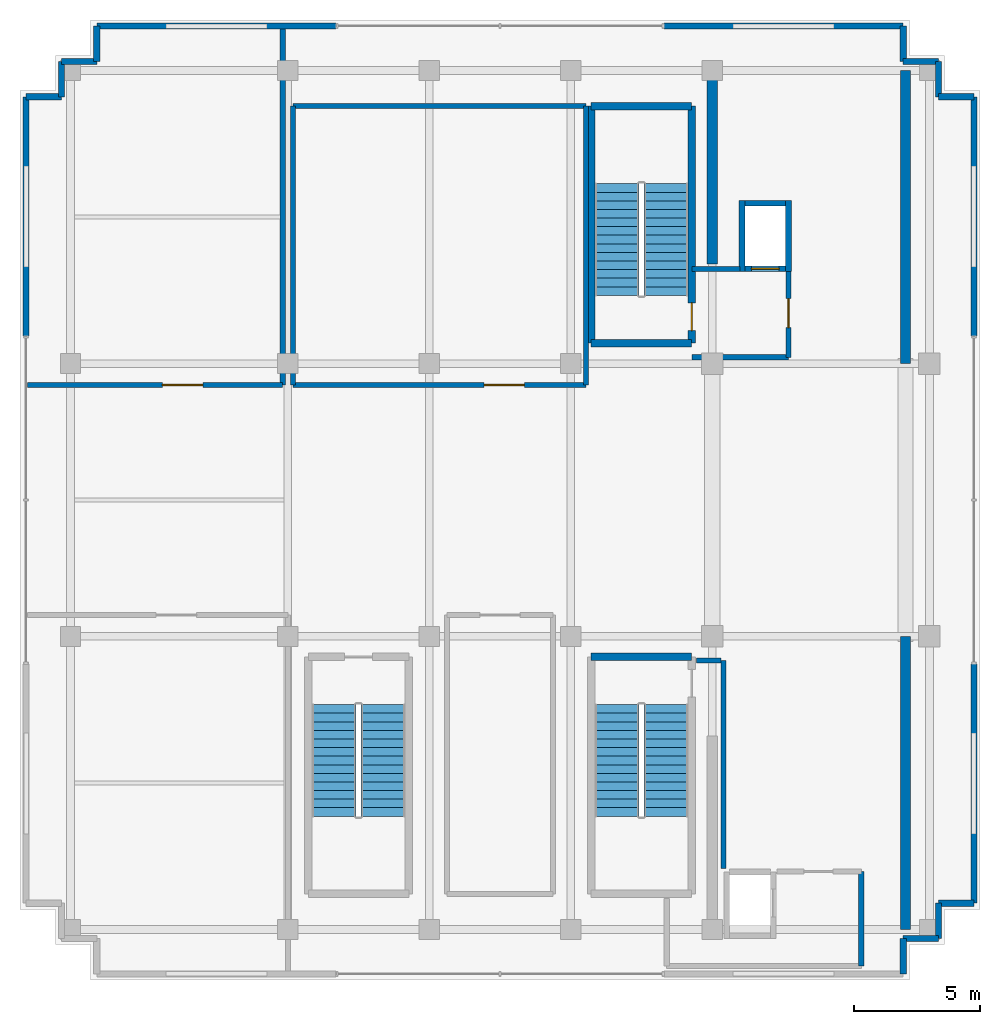
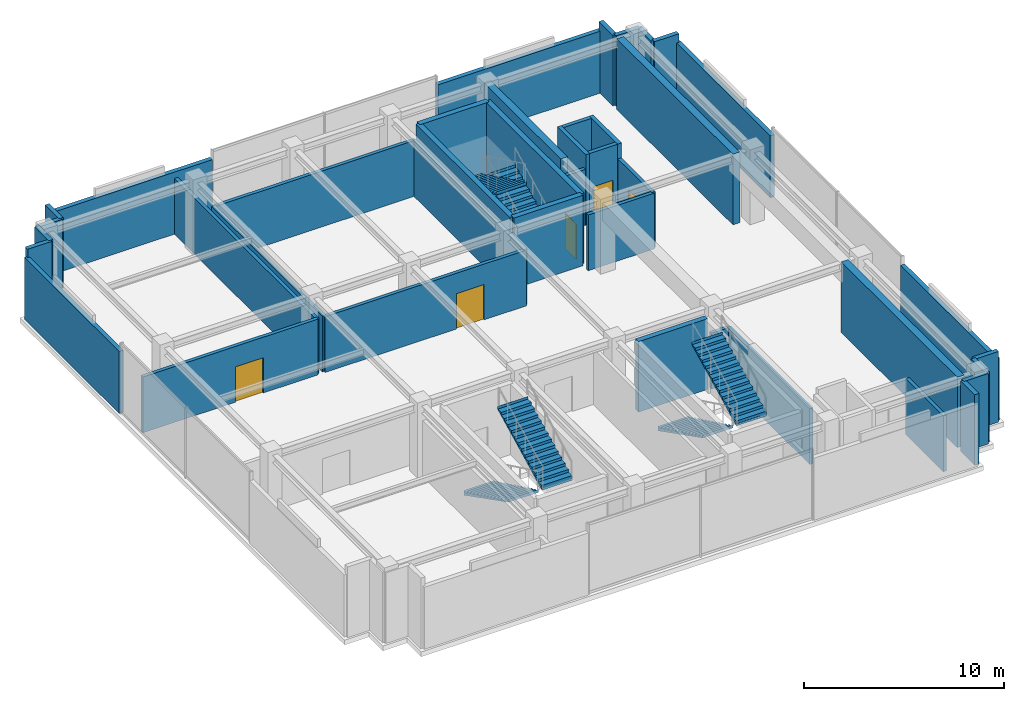
# One storey, part 15 of 18: 41 walls, 6 stair flights, 5 doors, 5 openings, 3 elements without a shape of their own.
"""IFC4 building model written with IfcOpenShell, lengths in metres."""

from ifc_helpers import new_model, si_unit, direction, frame, frame_2d, origin, place, context, subcontext, project, spatial, polyline, rectangle, outline, extrude, source, transform, mapped, material, layer, layer_set, type_object, element, fill, aggregate, save


model = new_model("IFC4")

# Units and contexts
model_context = context("Model", 3, precision=1e-05, world=origin(), true_north=direction((0.0, 1.0)))
body_context = subcontext(model_context, "Body", "Model", "MODEL_VIEW")
ifc_project = project(units=[si_unit("LENGTHUNIT", "METRE"), si_unit("AREAUNIT", "SQUARE_METRE"), si_unit("VOLUMEUNIT", "CUBIC_METRE"), si_unit("PLANEANGLEUNIT", "RADIAN"), si_unit("MASSUNIT", "GRAM", prefix="KILO")], contexts=[model_context])

# Site, building, storey
site_placement = place(None, origin())
site = spatial("IfcSite", under=ifc_project, at=site_placement, CompositionType="ELEMENT")
building_placement = place(site_placement, origin())
building = spatial("IfcBuilding", under=site, at=building_placement, Name="Nahalor Promenade Grand Hotel", CompositionType="ELEMENT")
storey_placement = place(building_placement, frame((0.0, 0.0, 366.25)))
storey = spatial("IfcBuildingStorey", under=building, at=storey_placement, Name="L93", CompositionType="ELEMENT", Elevation=366.25)

# Walls
ifc_material_1 = material(Name="Concrete B-50 (C40/50)", Category="concrete")
ifc_layer_1 = layer(ifc_material_1, 0.39990234375)
ifc_layer_set_1 = layer_set([ifc_layer_1], Name="Concrete B-50 (C40/50)")
wall_type_1 = type_object("IfcWallType", Name="Wall-CoreShear-400", PredefinedType="SHEAR", material=ifc_layer_set_1)
shared_shape_1 = source(origin(), body_context, "Body", "SweptSolid", [
    extrude(rectangle(XDim=7.64990234375, YDim=0.39990234375, at=frame_2d((3.824951171875, 0.0))), origin(), (0.0, 0.0, 1.0), 4.300048828125),
])
wall_1_placement = place(storey_placement, frame((8.39990234375, 9.35009765625, 0.0), z_axis=(0.0, 0.0, 1.0), x_axis=(0.0, 1.0, 0.0)))
element("IfcWall", 1, at=wall_1_placement, inside=storey, type_object=wall_type_1, Name="CWALL-L93-NW", PredefinedType="SHEAR", context=body_context, shape_type="MappedRepresentation", body=[
    mapped(shared_shape_1, transform((0.0, 0.0, 0.0), scale=1.0)),
])
shared_shape_2 = source(origin(), body_context, "Body", "SweptSolid", [
    extrude(rectangle(XDim=11.60009765625, YDim=0.39990234375, at=frame_2d((5.800048828125, 0.0))), origin(), (0.0, 0.0, 1.0), 4.300048828125),
])
for number, where, z_axis, x_axis, name in (
    (2, (16.050048828125, 5.39990234375, 0.0), (0.0, 0.0, 1.0), (0.0, 1.0, 0.0), "CWALL-L93-NE"),
    (3, (16.050048828125, -17.0, 0.0), (0.0, 0.0, 1.0), (0.0, 1.0, 0.0), "CWALL-L93-SE"),
):
    element("IfcWall", number, at=place(storey_placement, frame(where, z_axis=z_axis, x_axis=x_axis)), inside=storey, type_object=wall_type_1, Name=name, PredefinedType="SHEAR", context=body_context, shape_type="MappedRepresentation", body=[
        mapped(shared_shape_2, transform((0.0, 0.0, 0.0), scale=1.0)),
    ])
ifc_layer_2 = layer(ifc_material_1, 0.300048828125)
ifc_layer_set_2 = layer_set([ifc_layer_2], Name="Concrete B-50 (C40/50)")
wall_type_2 = type_object("IfcWallType", Name="Wall-ShaftShear-300", PredefinedType="SHEAR", material=ifc_layer_set_2)
shared_shape_3 = source(origin(), body_context, "Body", "SweptSolid", [
    extrude(rectangle(XDim=3.97998046875, YDim=0.300048828125, at=frame_2d((1.989990234375, 0.0))), origin(), (0.0, 0.0, 1.0), 4.300048828125),
])
for number, where, z_axis, x_axis, name in (
    (4, (3.610107421875, 6.2099609375, 0.0), (0.0, 0.0, 1.0), (1.0, 0.0, 0.0), "L93 Exit Stair ST1 Shaft Wall S"),
    (5, (3.610107421875, 15.590087890625, 0.0), (0.0, 0.0, 1.0), (1.0, 0.0, 0.0), "L93 Exit Stair ST1 Shaft Wall N"),
    (6, (3.610107421875, -6.2099609375, 0.0), (0.0, 0.0, 1.0), (1.0, 0.0, 0.0), "L93 Exit Stair ST2 Shaft Wall N"),
):
    element("IfcWall", number, at=place(storey_placement, frame(where, z_axis=z_axis, x_axis=x_axis)), inside=storey, type_object=wall_type_2, Name=name, PredefinedType="SHEAR", context=body_context, shape_type="MappedRepresentation", body=[
        mapped(shared_shape_3, transform((0.0, 0.0, 0.0), scale=1.0)),
    ])
shared_shape_4 = source(origin(), body_context, "Body", "SweptSolid", [
    extrude(rectangle(XDim=9.380126953125, YDim=0.300048828125, at=frame_2d((4.68994140625, 0.0))), origin(), (0.0, 0.0, 1.0), 4.300048828125),
])
wall_2_placement = place(storey_placement, frame((3.610107421875, 6.2099609375, 0.0), z_axis=(0.0, 0.0, 1.0), x_axis=(0.0, 1.0, 0.0)))
element("IfcWall", 7, at=wall_2_placement, inside=storey, type_object=wall_type_2, Name="L93 Exit Stair ST1 Shaft Wall W", PredefinedType="SHEAR", context=body_context, shape_type="MappedRepresentation", body=[
    mapped(shared_shape_4, transform((0.0, 0.0, 0.0), scale=1.0)),
])

# Wall, opening, door
wall_3_placement = place(storey_placement, frame((7.590087890625, 6.2099609375, 0.0), z_axis=(0.0, 0.0, 1.0), x_axis=(0.0, 1.0, 0.0)))
wall_3 = element("IfcWall", 8, at=wall_3_placement, inside=storey, type_object=wall_type_2, Name="L93 Exit Stair ST1 Shaft Wall E", PredefinedType="SHEAR", context=body_context, shape_type="MappedRepresentation", body=[
    mapped(shared_shape_4, transform((0.0, 0.0, 0.0), scale=1.0)),
])
opening_1_placement = place(wall_3_placement, frame((0.489990234375, 0.0, 0.0)))
opening_1 = element("IfcOpeningElement", 9, at=opening_1_placement, cuts=wall_3, Name="Opening D-ST1", PredefinedType="OPENING", context=body_context, shape_type="SweptSolid", body=[
    extrude(rectangle(XDim=1.10009765625, YDim=2.14990234375, at=frame_2d((0.550048828125, 1.074951171875))), frame((0.0, 0.159912109375, 0.0), z_axis=(0.0, -1.0, 0.0), x_axis=(1.0, 0.0, 0.0)), (0.0, 0.0, 1.0), 0.320068359375),
])
ifc_material_2 = material(Name="Steel S355JR", Category="steel")
door_type_1 = type_object("IfcDoorType", Name="Door-StairFire-1100", OperationType="NOTDEFINED", PredefinedType="DOOR", material=ifc_material_2)
shared_shape_5 = source(origin(), body_context, "Body", "SweptSolid", [
    extrude(rectangle(XDim=1.10009765625, YDim=2.14990234375, at=frame_2d((0.550048828125, 1.074951171875))), frame((0.0, 0.02490234375, 0.0), z_axis=(0.0, -1.0, 0.0), x_axis=(1.0, 0.0, 0.0)), (0.0, 0.0, 1.0), 0.050048828125),
])
door_1_placement = place(opening_1_placement, origin())
door_1 = element("IfcDoor", 10, at=door_1_placement, inside=storey, type_object=door_type_1, Name="DR-STAIR-ST1-L93", OperationType="SINGLE_SWING_RIGHT", OverallHeight=2.14990234375, OverallWidth=1.10009765625, PredefinedType="DOOR", context=body_context, shape_type="MappedRepresentation", body=[
    mapped(shared_shape_5, transform((0.0, 0.0, 0.0), scale=1.0)),
])
fill(opening_1, door_1)

# Walls
ifc_layer_3 = layer(ifc_material_1, 0.219970703125)
ifc_layer_set_3 = layer_set([ifc_layer_3], Name="Concrete B-50 (C40/50)")
wall_type_3 = type_object("IfcWallType", Name="Wall-LiftShaft-220", PredefinedType="SHEAR", material=ifc_layer_set_3)
shared_shape_6 = source(origin(), body_context, "Body", "SweptSolid", [
    extrude(rectangle(XDim=2.820068359375, YDim=0.219970703125, at=frame_2d((1.41015625, 0.0))), origin(), (0.0, 0.0, 1.0), 4.300048828125),
])
for number, where, z_axis, x_axis, name in (
    (11, (9.580078125, 9.0400390625, 0.0), (0.0, 0.0, 1.0), (0.0, 1.0, 0.0), "L93 Lift FL1 Hoistway Wall W"),
    (12, (11.419921875, 9.0400390625, 0.0), (0.0, 0.0, 1.0), (0.0, 1.0, 0.0), "L93 Lift FL1 Hoistway Wall E"),
):
    element("IfcWall", number, at=place(storey_placement, frame(where, z_axis=z_axis, x_axis=x_axis)), inside=storey, type_object=wall_type_3, Name=name, PredefinedType="SHEAR", context=body_context, shape_type="MappedRepresentation", body=[
        mapped(shared_shape_6, transform((0.0, 0.0, 0.0), scale=1.0)),
    ])

# Wall, opening, door
shared_shape_7 = source(origin(), body_context, "Body", "SweptSolid", [
    extrude(rectangle(XDim=1.6201171875, YDim=0.219970703125, at=frame_2d((0.81005859375, 0.0))), origin(), (0.0, 0.0, 1.0), 4.300048828125),
])
wall_4_placement = place(storey_placement, frame((9.68994140625, 9.14990234375, 0.0), z_axis=(0.0, 0.0, 1.0), x_axis=(1.0, 0.0, 0.0)))
wall_4 = element("IfcWall", 13, at=wall_4_placement, inside=storey, type_object=wall_type_3, Name="L93 Lift FL1 Hoistway Wall S", PredefinedType="SHEAR", context=body_context, shape_type="MappedRepresentation", body=[
    mapped(shared_shape_7, transform((0.0, 0.0, 0.0), scale=1.0)),
])
opening_2_placement = place(wall_4_placement, frame((0.260009765625, 0.0, 0.0)))
opening_2 = element("IfcOpeningElement", 14, at=opening_2_placement, cuts=wall_4, Name="Opening LD-02", PredefinedType="OPENING", context=body_context, shape_type="SweptSolid", body=[
    extrude(rectangle(XDim=1.10009765625, YDim=2.199951171875, at=frame_2d((0.550048828125, 1.10009765625))), frame((0.0, 0.119873046875, 0.0), z_axis=(0.0, -1.0, 0.0), x_axis=(1.0, 0.0, 0.0)), (0.0, 0.0, 1.0), 0.239990234375),
])
door_type_2 = type_object("IfcDoorType", Name="Door-LiftFF-1100", OperationType="DOUBLE_DOOR_SLIDING", PredefinedType="DOOR", material=ifc_material_2)
shared_shape_8 = source(origin(), body_context, "Body", "SweptSolid", [
    extrude(rectangle(XDim=1.10009765625, YDim=2.199951171875, at=frame_2d((0.550048828125, 1.10009765625))), frame((0.0, 0.02490234375, 0.0), z_axis=(0.0, -1.0, 0.0), x_axis=(1.0, 0.0, 0.0)), (0.0, 0.0, 1.0), 0.050048828125),
])
door_2_placement = place(opening_2_placement, frame((1.10009765625, 0.0, 0.0), z_axis=(0.0, 0.0, 1.0), x_axis=(-1.0, 0.0, 0.0)))
door_2 = element("IfcDoor", 15, at=door_2_placement, inside=storey, type_object=door_type_2, Name="DR-LIFT-FL1-L93", OperationType="DOUBLE_DOOR_SLIDING", OverallHeight=2.199951171875, OverallWidth=1.10009765625, PredefinedType="DOOR", context=body_context, shape_type="MappedRepresentation", body=[
    mapped(shared_shape_8, transform((0.0, 0.0, 0.0), scale=1.0)),
])
fill(opening_2, door_2)

# Walls
wall_5_placement = place(storey_placement, frame((9.68994140625, 11.75, 0.0), z_axis=(0.0, 0.0, 1.0), x_axis=(1.0, 0.0, 0.0)))
element("IfcWall", 16, at=wall_5_placement, inside=storey, type_object=wall_type_3, Name="L93 Lift FL1 Hoistway Wall N", PredefinedType="SHEAR", context=body_context, shape_type="MappedRepresentation", body=[
    mapped(shared_shape_7, transform((0.0, 0.0, 0.0), scale=1.0)),
])
ifc_material_3 = material(Name="Concrete B-40 (C32/40)", Category="concrete")
ifc_layer_4 = layer(ifc_material_3, 0.25)
ifc_layer_set_4 = layer_set([ifc_layer_4], Name="Concrete B-40 (C32/40)")
wall_type_4 = type_object("IfcWallType", Name="Wall-BronzePier-250", PredefinedType="STANDARD", material=ifc_layer_set_4)
shared_shape_9 = source(origin(), body_context, "Body", "SweptSolid", [
    extrude(rectangle(XDim=1.39990234375, YDim=0.25, at=frame_2d((0.699951171875, 0.0))), origin(), (0.0, 0.0, 1.0), 4.300048828125),
])
for number, where, z_axis, x_axis, name in (
    (17, (15.9599609375, -18.760009765625, 0.0), (0.0, 0.0, 1.0), (0.0, 1.0, 0.0), "W-L93-SR-01"),
    (18, (17.360107421875, -15.9599609375, 0.0), (0.0, 0.0, 1.0), (1.0, 0.0, 0.0), "W-L93-SR-04"),
    (19, (17.360107421875, 15.9599609375, 0.0), (0.0, 0.0, 1.0), (1.0, 0.0, 0.0), "W-L93-SR-05"),
    (20, (15.9599609375, 17.360107421875, 0.0), (0.0, 0.0, 1.0), (0.0, 1.0, 0.0), "W-L93-SR-08"),
    (21, (-15.9599609375, 17.360107421875, 0.0), (0.0, 0.0, 1.0), (0.0, 1.0, 0.0), "W-L93-SR-09"),
    (22, (-18.760009765625, 15.9599609375, 0.0), (0.0, 0.0, 1.0), (1.0, 0.0, 0.0), "W-L93-SR-12"),
):
    element("IfcWall", number, at=place(storey_placement, frame(where, z_axis=z_axis, x_axis=x_axis)), inside=storey, type_object=wall_type_4, Name=name, PredefinedType="STANDARD", context=body_context, shape_type="MappedRepresentation", body=[
        mapped(shared_shape_9, transform((0.0, 0.0, 0.0), scale=1.0)),
    ])
shared_shape_10 = source(origin(), body_context, "Body", "SweptSolid", [
    extrude(rectangle(XDim=1.400146484375, YDim=0.25, at=frame_2d((0.7001953125, 0.0))), origin(), (0.0, 0.0, 1.0), 4.300048828125),
])
for number, where, z_axis, x_axis, name in (
    (23, (15.9599609375, -17.360107421875, 0.0), (0.0, 0.0, 1.0), (1.0, 0.0, 0.0), "W-L93-SR-02"),
    (24, (17.360107421875, -17.360107421875, 0.0), (0.0, 0.0, 1.0), (0.0, 1.0, 0.0), "W-L93-SR-03"),
    (25, (17.360107421875, 15.9599609375, 0.0), (0.0, 0.0, 1.0), (0.0, 1.0, 0.0), "W-L93-SR-06"),
    (26, (15.9599609375, 17.360107421875, 0.0), (0.0, 0.0, 1.0), (1.0, 0.0, 0.0), "W-L93-SR-07"),
    (27, (-17.360107421875, 17.360107421875, 0.0), (0.0, 0.0, 1.0), (1.0, 0.0, 0.0), "W-L93-SR-10"),
    (28, (-17.360107421875, 15.9599609375, 0.0), (0.0, 0.0, 1.0), (0.0, 1.0, 0.0), "W-L93-SR-11"),
):
    element("IfcWall", number, at=place(storey_placement, frame(where, z_axis=z_axis, x_axis=x_axis)), inside=storey, type_object=wall_type_4, Name=name, PredefinedType="STANDARD", context=body_context, shape_type="MappedRepresentation", body=[
        mapped(shared_shape_10, transform((0.0, 0.0, 0.0), scale=1.0)),
    ])
shared_shape_11 = source(origin(), body_context, "Body", "SweptSolid", [
    extrude(rectangle(XDim=9.4599609375, YDim=0.25, at=frame_2d((4.72998046875, 0.0))), origin(), (0.0, 0.0, 1.0), 3.780029296875),
])
for number, where, z_axis, x_axis, name in (
    (29, (-15.9599609375, 18.760009765625, 0.0), (0.0, 0.0, 1.0), (1.0, 0.0, 0.0), "W-L93-PL-NL"),
    (30, (6.5, 18.760009765625, 0.0), (0.0, 0.0, 1.0), (1.0, 0.0, 0.0), "W-L93-PL-NR"),
    (31, (-18.760009765625, 6.5, 0.0), (0.0, 0.0, 1.0), (0.0, 1.0, 0.0), "W-L93-PL-WR"),
    (32, (18.760009765625, -15.9599609375, 0.0), (0.0, 0.0, 1.0), (0.0, 1.0, 0.0), "W-L93-PL-EL"),
    (33, (18.760009765625, 6.5, 0.0), (0.0, 0.0, 1.0), (0.0, 1.0, 0.0), "W-L93-PL-ER"),
):
    element("IfcWall", number, at=place(storey_placement, frame(where, z_axis=z_axis, x_axis=x_axis)), inside=storey, type_object=wall_type_4, Name=name, PredefinedType="STANDARD", context=body_context, shape_type="MappedRepresentation", body=[
        mapped(shared_shape_11, transform((0.0, 0.0, 0.0), scale=1.0)),
    ])
ifc_layer_5 = layer(ifc_material_3, 0.199951171875)
ifc_layer_set_5 = layer_set([ifc_layer_5], Name="Concrete B-40 (C32/40)")
wall_type_5 = type_object("IfcWallType", Name="Wall-PartFire-200", PredefinedType="PARTITIONING", material=ifc_layer_set_5)
shared_shape_12 = source(origin(), body_context, "Body", "SweptSolid", [
    extrude(rectangle(XDim=3.81982421875, YDim=0.199951171875, at=frame_2d((1.909912109375, 0.0))), origin(), (0.0, 0.0, 1.0), 3.39990234375),
])
wall_6_placement = place(storey_placement, frame((7.60009765625, 5.64990234375, 0.0), z_axis=(0.0, 0.0, 1.0), x_axis=(1.0, 0.0, 0.0)))
element("IfcWall", 34, at=wall_6_placement, inside=storey, type_object=wall_type_5, Name="W-L93-FF1-S", PredefinedType="PARTITIONING", context=body_context, shape_type="MappedRepresentation", body=[
    mapped(shared_shape_12, transform((0.0, 0.0, 0.0), scale=1.0)),
])
shared_shape_13 = source(origin(), body_context, "Body", "SweptSolid", [
    extrude(rectangle(XDim=1.89990234375, YDim=0.199951171875, at=frame_2d((0.949951171875, 0.0))), origin(), (0.0, 0.0, 1.0), 3.39990234375),
])
wall_7_placement = place(storey_placement, frame((7.60009765625, 9.14990234375, 0.0), z_axis=(0.0, 0.0, 1.0), x_axis=(1.0, 0.0, 0.0)))
element("IfcWall", 35, at=wall_7_placement, inside=storey, type_object=wall_type_5, Name="W-L93-FF1-N", PredefinedType="PARTITIONING", context=body_context, shape_type="MappedRepresentation", body=[
    mapped(shared_shape_13, transform((0.0, 0.0, 0.0), scale=1.0)),
])

# Wall, opening, door
shared_shape_14 = source(origin(), body_context, "Body", "SweptSolid", [
    extrude(rectangle(XDim=3.5, YDim=0.199951171875, at=frame_2d((1.75, 0.0))), origin(), (0.0, 0.0, 1.0), 3.39990234375),
])
wall_8_placement = place(storey_placement, frame((11.419921875, 5.64990234375, 0.0), z_axis=(0.0, 0.0, 1.0), x_axis=(0.0, 1.0, 0.0)))
wall_8 = element("IfcWall", 36, at=wall_8_placement, inside=storey, type_object=wall_type_5, Name="W-L93-FF1-E", PredefinedType="PARTITIONING", context=body_context, shape_type="MappedRepresentation", body=[
    mapped(shared_shape_14, transform((0.0, 0.0, 0.0), scale=1.0)),
])
opening_3_placement = place(wall_8_placement, frame((1.175048828125, 0.0, 0.0)))
opening_3 = element("IfcOpeningElement", 37, at=opening_3_placement, cuts=wall_8, Name="Opening D-FF1", PredefinedType="OPENING", context=body_context, shape_type="SweptSolid", body=[
    extrude(rectangle(XDim=1.14990234375, YDim=2.14990234375, at=frame_2d((0.574951171875, 1.074951171875))), frame((0.0, 0.10986328125, 0.0), z_axis=(0.0, -1.0, 0.0), x_axis=(1.0, 0.0, 0.0)), (0.0, 0.0, 1.0), 0.219970703125),
])
door_type_3 = type_object("IfcDoorType", Name="Door-FFLobby-1150", OperationType="NOTDEFINED", PredefinedType="DOOR", material=ifc_material_2)
shared_shape_15 = source(origin(), body_context, "Body", "SweptSolid", [
    extrude(rectangle(XDim=1.14990234375, YDim=2.14990234375, at=frame_2d((0.574951171875, 1.074951171875))), frame((0.0, 0.02490234375, 0.0), z_axis=(0.0, -1.0, 0.0), x_axis=(1.0, 0.0, 0.0)), (0.0, 0.0, 1.0), 0.050048828125),
])
door_3_placement = place(opening_3_placement, frame((1.14990234375, 0.0, 0.0), z_axis=(0.0, 0.0, 1.0), x_axis=(-1.0, 0.0, 0.0)))
door_3 = element("IfcDoor", 38, at=door_3_placement, inside=storey, type_object=door_type_3, Name="DR-L93-FFL1", OperationType="SINGLE_SWING_LEFT", OverallHeight=2.14990234375, OverallWidth=1.14990234375, PredefinedType="DOOR", context=body_context, shape_type="MappedRepresentation", body=[
    mapped(shared_shape_15, transform((0.0, 0.0, 0.0), scale=1.0)),
])
fill(opening_3, door_3)

# Walls
shared_shape_16 = source(origin(), body_context, "Body", "SweptSolid", [
    extrude(rectangle(XDim=0.969970703125, YDim=0.199951171875, at=frame_2d((0.48486328125, 0.0))), origin(), (0.0, 0.0, 1.0), 3.39990234375),
])
wall_9_placement = place(storey_placement, frame((7.77001953125, -6.35009765625, 0.0), z_axis=(0.0, 0.0, 1.0), x_axis=(1.0, 0.0, 0.0)))
element("IfcWall", 39, at=wall_9_placement, inside=storey, type_object=wall_type_5, Name="W-L93-FF2-N2", PredefinedType="PARTITIONING", context=body_context, shape_type="MappedRepresentation", body=[
    mapped(shared_shape_16, transform((0.0, 0.0, 0.0), scale=1.0)),
])
shared_shape_17 = source(origin(), body_context, "Body", "SweptSolid", [
    extrude(rectangle(XDim=8.22998046875, YDim=0.199951171875, at=frame_2d((4.114990234375, 0.0))), origin(), (0.0, 0.0, 1.0), 3.39990234375),
])
wall_10_placement = place(storey_placement, frame((8.840087890625, -14.580078125, 0.0), z_axis=(0.0, 0.0, 1.0), x_axis=(0.0, 1.0, 0.0)))
element("IfcWall", 40, at=wall_10_placement, inside=storey, type_object=wall_type_5, Name="W-L93-FF2-M", PredefinedType="PARTITIONING", context=body_context, shape_type="MappedRepresentation", body=[
    mapped(shared_shape_17, transform((0.0, 0.0, 0.0), scale=1.0)),
])
shared_shape_18 = source(origin(), body_context, "Body", "SweptSolid", [
    extrude(rectangle(XDim=14.14990234375, YDim=0.199951171875, at=frame_2d((7.074951171875, 0.0))), origin(), (0.0, 0.0, 1.0), 3.39990234375),
])
wall_11_placement = place(storey_placement, frame((-8.60009765625, 4.550048828125, 0.0), z_axis=(0.0, 0.0, 1.0), x_axis=(0.0, 1.0, 0.0)))
element("IfcWall", 41, at=wall_11_placement, inside=storey, type_object=wall_type_5, Name="W-L93-MP1-E", PredefinedType="PARTITIONING", context=body_context, shape_type="MappedRepresentation", body=[
    mapped(shared_shape_18, transform((0.0, 0.0, 0.0), scale=1.0)),
])
shared_shape_19 = source(origin(), body_context, "Body", "SweptSolid", [
    extrude(rectangle(XDim=3.75, YDim=0.199951171875, at=frame_2d((1.875, 0.0))), origin(), (0.0, 0.0, 1.0), 3.39990234375),
])
wall_12_placement = place(storey_placement, frame((14.300048828125, -18.449951171875, 0.0), z_axis=(0.0, 0.0, 1.0), x_axis=(0.0, 1.0, 0.0)))
element("IfcWall", 42, at=wall_12_placement, inside=storey, type_object=wall_type_5, Name="W-L93-FF2-E", PredefinedType="PARTITIONING", context=body_context, shape_type="MappedRepresentation", body=[
    mapped(shared_shape_19, transform((0.0, 0.0, 0.0), scale=1.0)),
])

# Wall, opening, door
shared_shape_20 = source(origin(), body_context, "Body", "SweptSolid", [
    extrude(rectangle(XDim=10.099853515625, YDim=0.199951171875, at=frame_2d((5.0498046875, 0.0))), origin(), (0.0, 0.0, 1.0), 3.39990234375),
])
wall_13_placement = place(storey_placement, frame((-18.699951171875, 4.550048828125, 0.0), z_axis=(0.0, 0.0, 1.0), x_axis=(1.0, 0.0, 0.0)))
wall_13 = element("IfcWall", 43, at=wall_13_placement, inside=storey, type_object=wall_type_5, Name="W-L93-MP1-S", PredefinedType="PARTITIONING", context=body_context, shape_type="MappedRepresentation", body=[
    mapped(shared_shape_20, transform((0.0, 0.0, 0.0), scale=1.0)),
])
opening_4_placement = place(wall_13_placement, frame((5.337890625, 0.0, 0.0)))
opening_4 = element("IfcOpeningElement", 44, at=opening_4_placement, cuts=wall_13, Name="Opening D-06", PredefinedType="OPENING", context=body_context, shape_type="SweptSolid", body=[
    extrude(rectangle(XDim=1.60009765625, YDim=2.14990234375, at=frame_2d((0.800048828125, 1.074951171875))), frame((0.0, 0.10986328125, 0.0), z_axis=(0.0, -1.0, 0.0), x_axis=(1.0, 0.0, 0.0)), (0.0, 0.0, 1.0), 0.219970703125),
])
door_type_4 = type_object("IfcDoorType", Name="Door-PlantDouble-1600", OperationType="DOUBLE_DOOR_SINGLE_SWING", PredefinedType="DOOR", material=ifc_material_2)
shared_shape_21 = source(origin(), body_context, "Body", "SweptSolid", [
    extrude(rectangle(XDim=1.60009765625, YDim=2.14990234375, at=frame_2d((0.800048828125, 1.074951171875))), frame((0.0, 0.02490234375, 0.0), z_axis=(0.0, -1.0, 0.0), x_axis=(1.0, 0.0, 0.0)), (0.0, 0.0, 1.0), 0.050048828125),
])
door_4_placement = place(opening_4_placement, origin())
door_4 = element("IfcDoor", 45, at=door_4_placement, inside=storey, type_object=door_type_4, Name="DR-L93-MP1", OperationType="DOUBLE_DOOR_SINGLE_SWING", OverallHeight=2.14990234375, OverallWidth=1.60009765625, PredefinedType="DOOR", context=body_context, shape_type="MappedRepresentation", body=[
    mapped(shared_shape_21, transform((0.0, 0.0, 0.0), scale=1.0)),
])
fill(opening_4, door_4)

shared_shape_22 = source(origin(), body_context, "Body", "SweptSolid", [
    extrude(rectangle(XDim=11.599853515625, YDim=0.199951171875, at=frame_2d((5.7998046875, 0.0))), origin(), (0.0, 0.0, 1.0), 3.39990234375),
])
wall_14_placement = place(storey_placement, frame((-8.199951171875, 4.550048828125, 0.0), z_axis=(0.0, 0.0, 1.0), x_axis=(1.0, 0.0, 0.0)))
wall_14 = element("IfcWall", 46, at=wall_14_placement, inside=storey, type_object=wall_type_5, Name="W-L93-MP2-S", PredefinedType="PARTITIONING", context=body_context, shape_type="MappedRepresentation", body=[
    mapped(shared_shape_22, transform((0.0, 0.0, 0.0), scale=1.0)),
])
opening_5_placement = place(wall_14_placement, frame((7.56689453125, 0.0, 0.0)))
opening_5 = element("IfcOpeningElement", 47, at=opening_5_placement, cuts=wall_14, Name="Opening D-06", PredefinedType="OPENING", context=body_context, shape_type="SweptSolid", body=[
    extrude(rectangle(XDim=1.60009765625, YDim=2.14990234375, at=frame_2d((0.800048828125, 1.074951171875))), frame((0.0, 0.10986328125, 0.0), z_axis=(0.0, -1.0, 0.0), x_axis=(1.0, 0.0, 0.0)), (0.0, 0.0, 1.0), 0.219970703125),
])
door_5_placement = place(opening_5_placement, origin())
door_5 = element("IfcDoor", 48, at=door_5_placement, inside=storey, type_object=door_type_4, Name="DR-L93-MP2", OperationType="DOUBLE_DOOR_SINGLE_SWING", OverallHeight=2.14990234375, OverallWidth=1.60009765625, PredefinedType="DOOR", context=body_context, shape_type="MappedRepresentation", body=[
    mapped(shared_shape_21, transform((0.0, 0.0, 0.0), scale=1.0)),
])
fill(opening_5, door_5)

# Walls
wall_15_placement = place(storey_placement, frame((-8.199951171875, 15.60009765625, 0.0), z_axis=(0.0, 0.0, 1.0), x_axis=(1.0, 0.0, 0.0)))
element("IfcWall", 49, at=wall_15_placement, inside=storey, type_object=wall_type_5, Name="W-L93-MP2-N", PredefinedType="PARTITIONING", context=body_context, shape_type="MappedRepresentation", body=[
    mapped(shared_shape_22, transform((0.0, 0.0, 0.0), scale=1.0)),
])
shared_shape_23 = source(origin(), body_context, "Body", "SweptSolid", [
    extrude(rectangle(XDim=11.050048828125, YDim=0.199951171875, at=frame_2d((5.52490234375, 0.0))), origin(), (0.0, 0.0, 1.0), 3.39990234375),
])
for number, where, z_axis, x_axis, name in (
    (50, (-8.199951171875, 4.550048828125, 0.0), (0.0, 0.0, 1.0), (0.0, 1.0, 0.0), "W-L93-MP2-W"),
    (51, (3.39990234375, 4.550048828125, 0.0), (0.0, 0.0, 1.0), (0.0, 1.0, 0.0), "W-L93-MP2-E"),
):
    element("IfcWall", number, at=place(storey_placement, frame(where, z_axis=z_axis, x_axis=x_axis)), inside=storey, type_object=wall_type_5, Name=name, PredefinedType="PARTITIONING", context=body_context, shape_type="MappedRepresentation", body=[
        mapped(shared_shape_23, transform((0.0, 0.0, 0.0), scale=1.0)),
    ])

# Stair, stair flights
stair_type_1 = type_object("IfcStairType", Name="Stair-ST1", PredefinedType="HALF_TURN_STAIR", material=ifc_material_1)
stair_1_placement = place(storey_placement, origin())
stair_1 = element("IfcStair", 52, at=stair_1_placement, inside=storey, type_object=stair_type_1, Name="L93 ST1", PredefinedType="HALF_TURN_STAIR")
ifc_layer_6 = layer(ifc_material_1, 0.179931640625)
ifc_layer_set_6 = layer_set([ifc_layer_6], Name="Concrete B-50 (C40/50)")
stair_flight_type_1 = type_object("IfcStairFlightType", Name="Flight-ST1", PredefinedType="STRAIGHT", material=ifc_layer_set_6)
shared_shape_24 = source(origin(), body_context, "Body", "SweptSolid", [
    extrude(outline(polyline([(-0.00390625, -0.1201171875), (-0.00390625, 0.0), (0.0, 0.0), (0.0, 0.164306640625), (0.340087890625, 0.164306640625), (0.340087890625, 0.32861328125), (0.679931640625, 0.32861328125), (0.679931640625, 0.492919921875), (1.02001953125, 0.492919921875), (1.02001953125, 0.6572265625), (1.360107421875, 0.6572265625), (1.360107421875, 0.821533203125), (1.699951171875, 0.821533203125), (1.699951171875, 0.985595703125), (2.0400390625, 0.985595703125), (2.0400390625, 1.14990234375), (2.3798828125, 1.14990234375), (2.3798828125, 1.314208984375), (2.719970703125, 1.314208984375), (2.719970703125, 1.478515625), (3.06005859375, 1.478515625), (3.06005859375, 1.642822265625), (3.39990234375, 1.642822265625), (3.39990234375, 1.80712890625), (3.739990234375, 1.80712890625), (3.739990234375, 1.971435546875), (4.080078125, 1.971435546875), (4.080078125, 2.1357421875), (4.419921875, 2.1357421875), (4.419921875, 2.300048828125), (4.424072265625, 2.300048828125), (4.424072265625, 2.1201171875), (0.02001953125, -0.1201171875), (-0.00390625, -0.1201171875)])), frame((0.0, 0.875, 0.0), z_axis=(0.0, -1.0, 0.0), x_axis=(1.0, 0.0, 0.0)), (0.0, 0.0, 1.0), 1.75),
])
stair_flight_1_placement = place(storey_placement, frame((6.574951171875, 8.10009765625, 0.0), z_axis=(0.0, 0.0, 1.0), x_axis=(0.0, 1.0, 0.0)))
stair_flight_1 = element("IfcStairFlight", 53, at=stair_flight_1_placement, type_object=stair_flight_type_1, Name="ST1 flight 1", NumberOfRisers=14, NumberOfTreads=13, PredefinedType="STRAIGHT", RiserHeight=0.164285714, TreadLength=0.34, context=body_context, shape_type="MappedRepresentation", body=[
    mapped(shared_shape_24, transform((0.0, 0.0, 0.0), scale=1.0)),
])
stair_flight_2_placement = place(storey_placement, frame((4.625, 12.52001953125, 2.300048828125), z_axis=(0.0, 0.0, 1.0), x_axis=(0.0, -1.0, 0.0)))
stair_flight_2 = element("IfcStairFlight", 54, at=stair_flight_2_placement, type_object=stair_flight_type_1, Name="ST1 flight 2", NumberOfRisers=14, NumberOfTreads=13, PredefinedType="STRAIGHT", RiserHeight=0.164285714, TreadLength=0.34, context=body_context, shape_type="MappedRepresentation", body=[
    mapped(shared_shape_24, transform((0.0, 0.0, 0.0), scale=1.0)),
])
aggregate(stair_1, [stair_flight_1, stair_flight_2])

stair_type_2 = type_object("IfcStairType", Name="Stair-ST2", PredefinedType="HALF_TURN_STAIR", material=ifc_material_1)
stair_2_placement = place(storey_placement, origin())
stair_2 = element("IfcStair", 55, at=stair_2_placement, inside=storey, type_object=stair_type_2, Name="L93 ST2", PredefinedType="HALF_TURN_STAIR")
ifc_layer_7 = layer(ifc_material_1, 0.18994140625)
ifc_layer_set_7 = layer_set([ifc_layer_7], Name="Concrete B-50 (C40/50)")
stair_flight_type_2 = type_object("IfcStairFlightType", Name="Flight-ST2", PredefinedType="STRAIGHT", material=ifc_layer_set_7)
shared_shape_25 = source(origin(), body_context, "Body", "SweptSolid", [
    extrude(outline(polyline([(-0.00390625, -0.1201171875), (-0.00390625, 0.0), (0.0, 0.0), (0.0, 0.164306640625), (0.340087890625, 0.164306640625), (0.340087890625, 0.32861328125), (0.679931640625, 0.32861328125), (0.679931640625, 0.492919921875), (1.02001953125, 0.492919921875), (1.02001953125, 0.6572265625), (1.360107421875, 0.6572265625), (1.360107421875, 0.821533203125), (1.699951171875, 0.821533203125), (1.699951171875, 0.985595703125), (2.0400390625, 0.985595703125), (2.0400390625, 1.14990234375), (2.3798828125, 1.14990234375), (2.3798828125, 1.314208984375), (2.719970703125, 1.314208984375), (2.719970703125, 1.478515625), (3.06005859375, 1.478515625), (3.06005859375, 1.642822265625), (3.39990234375, 1.642822265625), (3.39990234375, 1.80712890625), (3.739990234375, 1.80712890625), (3.739990234375, 1.971435546875), (4.080078125, 1.971435546875), (4.080078125, 2.1357421875), (4.419921875, 2.1357421875), (4.419921875, 2.300048828125), (4.424072265625, 2.300048828125), (4.424072265625, 2.1201171875), (0.02001953125, -0.1201171875), (-0.00390625, -0.1201171875)])), frame((0.0, 0.875, 0.0), z_axis=(0.0, -1.0, 0.0), x_axis=(1.0, 0.0, 0.0)), (0.0, 0.0, 1.0), 1.75),
])
stair_flight_3_placement = place(storey_placement, frame((4.625, -8.10009765625, 0.0), z_axis=(0.0, 0.0, 1.0), x_axis=(0.0, -1.0, 0.0)))
stair_flight_3 = element("IfcStairFlight", 56, at=stair_flight_3_placement, type_object=stair_flight_type_2, Name="ST2 flight 1", NumberOfRisers=14, NumberOfTreads=13, PredefinedType="STRAIGHT", RiserHeight=0.164285714, TreadLength=0.34, context=body_context, shape_type="MappedRepresentation", body=[
    mapped(shared_shape_25, transform((0.0, 0.0, 0.0), scale=1.0)),
])
stair_flight_4_placement = place(storey_placement, frame((6.574951171875, -12.52001953125, 2.300048828125), z_axis=(0.0, 0.0, 1.0), x_axis=(0.0, 1.0, 0.0)))
stair_flight_4 = element("IfcStairFlight", 57, at=stair_flight_4_placement, type_object=stair_flight_type_2, Name="ST2 flight 2", NumberOfRisers=14, NumberOfTreads=13, PredefinedType="STRAIGHT", RiserHeight=0.164285714, TreadLength=0.34, context=body_context, shape_type="MappedRepresentation", body=[
    mapped(shared_shape_25, transform((0.0, 0.0, 0.0), scale=1.0)),
])
aggregate(stair_2, [stair_flight_3, stair_flight_4])

stair_type_3 = type_object("IfcStairType", Name="Stair-ST3", PredefinedType="HALF_TURN_STAIR", material=ifc_material_1)
stair_3_placement = place(storey_placement, origin())
stair_3 = element("IfcStair", 58, at=stair_3_placement, inside=storey, type_object=stair_type_3, Name="L93 ST3", PredefinedType="HALF_TURN_STAIR")
ifc_layer_8 = layer(ifc_material_1, 0.199951171875)
ifc_layer_set_8 = layer_set([ifc_layer_8], Name="Concrete B-50 (C40/50)")
stair_flight_type_3 = type_object("IfcStairFlightType", Name="Flight-ST3", PredefinedType="STRAIGHT", material=ifc_layer_set_8)
shared_shape_26 = source(origin(), body_context, "Body", "SweptSolid", [
    extrude(outline(polyline([(-0.00390625, -0.1201171875), (-0.00390625, 0.0), (0.0, 0.0), (0.0, 0.164306640625), (0.340087890625, 0.164306640625), (0.340087890625, 0.32861328125), (0.679931640625, 0.32861328125), (0.679931640625, 0.492919921875), (1.02001953125, 0.492919921875), (1.02001953125, 0.6572265625), (1.360107421875, 0.6572265625), (1.360107421875, 0.821533203125), (1.699951171875, 0.821533203125), (1.699951171875, 0.985595703125), (2.0400390625, 0.985595703125), (2.0400390625, 1.14990234375), (2.3798828125, 1.14990234375), (2.3798828125, 1.314208984375), (2.719970703125, 1.314208984375), (2.719970703125, 1.478515625), (3.06005859375, 1.478515625), (3.06005859375, 1.642822265625), (3.39990234375, 1.642822265625), (3.39990234375, 1.80712890625), (3.739990234375, 1.80712890625), (3.739990234375, 1.971435546875), (4.080078125, 1.971435546875), (4.080078125, 2.1357421875), (4.419921875, 2.1357421875), (4.419921875, 2.300048828125), (4.424072265625, 2.300048828125), (4.424072265625, 2.1201171875), (0.02001953125, -0.1201171875), (-0.00390625, -0.1201171875)])), frame((0.0, 0.875, 0.0), z_axis=(0.0, -1.0, 0.0), x_axis=(1.0, 0.0, 0.0)), (0.0, 0.0, 1.0), 1.75),
])
stair_flight_5_placement = place(storey_placement, frame((-6.574951171875, -8.10009765625, 0.0), z_axis=(0.0, 0.0, 1.0), x_axis=(0.0, -1.0, 0.0)))
stair_flight_5 = element("IfcStairFlight", 59, at=stair_flight_5_placement, type_object=stair_flight_type_3, Name="ST3 flight 1", NumberOfRisers=14, NumberOfTreads=13, PredefinedType="STRAIGHT", RiserHeight=0.164285714, TreadLength=0.34, context=body_context, shape_type="MappedRepresentation", body=[
    mapped(shared_shape_26, transform((0.0, 0.0, 0.0), scale=1.0)),
])
stair_flight_6_placement = place(storey_placement, frame((-4.625, -12.52001953125, 2.300048828125), z_axis=(0.0, 0.0, 1.0), x_axis=(0.0, 1.0, 0.0)))
stair_flight_6 = element("IfcStairFlight", 60, at=stair_flight_6_placement, type_object=stair_flight_type_3, Name="ST3 flight 2", NumberOfRisers=14, NumberOfTreads=13, PredefinedType="STRAIGHT", RiserHeight=0.164285714, TreadLength=0.34, context=body_context, shape_type="MappedRepresentation", body=[
    mapped(shared_shape_26, transform((0.0, 0.0, 0.0), scale=1.0)),
])
aggregate(stair_3, [stair_flight_5, stair_flight_6])

save(model, "model.ifc")
